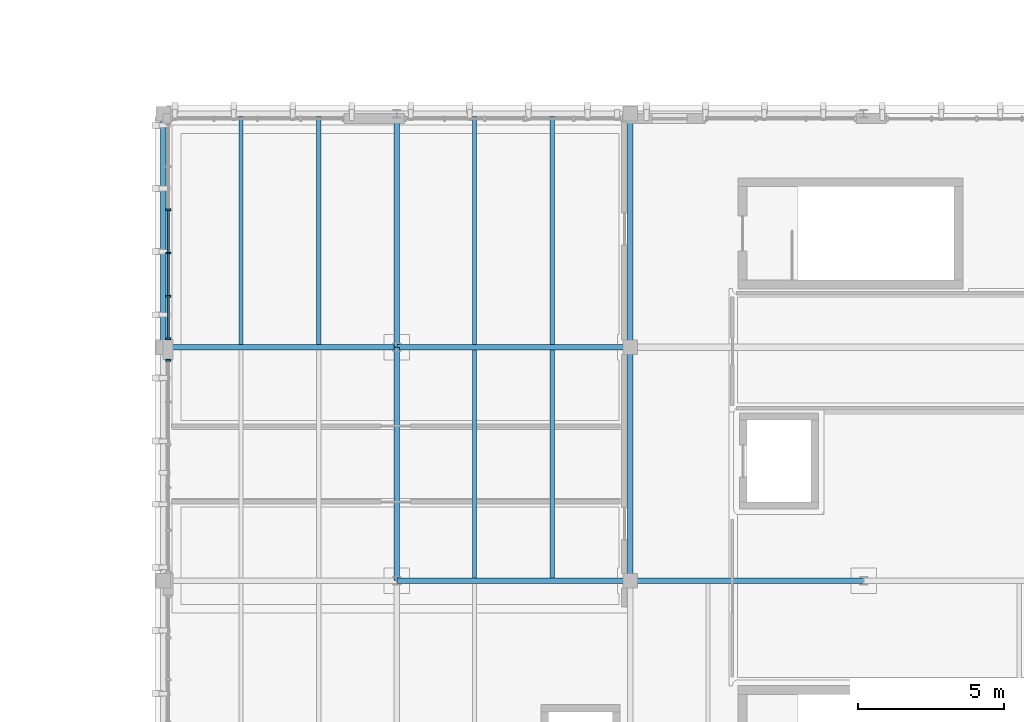
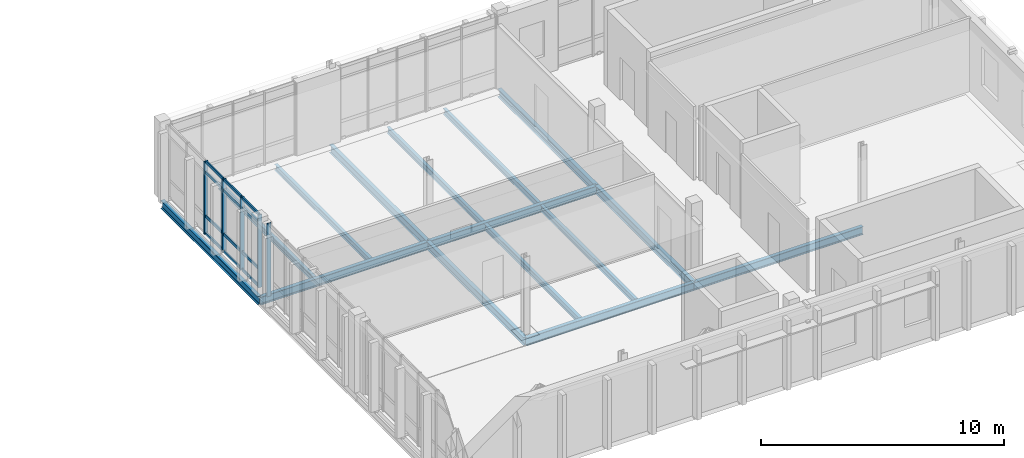
# One storey, part 4 of 28: 17 members, 15 beams, 2 elements without a shape of their own.
"""IFC4 building model written with IfcOpenShell, lengths in metres."""

from ifc_helpers import new_model, si_unit, direction, frame, origin, origin_2d, place, context, subcontext, project, spatial, rectangle, i_section, extrude, material, material_profile, profile_set, type_object, element, aggregate, save


model = new_model("IFC4")

# Units and contexts
model_context = context("Model", 3, precision=1e-05, world=origin(), true_north=direction((0.0, 1.0)))
body_context = subcontext(model_context, "Body", "Model", "MODEL_VIEW")
ifc_project = project(units=[si_unit("LENGTHUNIT", "METRE"), si_unit("AREAUNIT", "SQUARE_METRE"), si_unit("VOLUMEUNIT", "CUBIC_METRE"), si_unit("PLANEANGLEUNIT", "RADIAN"), si_unit("MASSUNIT", "GRAM", prefix="KILO")], contexts=[model_context])

# Site, building, storey
site_placement = place(None, origin())
site = spatial("IfcSite", under=ifc_project, at=site_placement, CompositionType="ELEMENT")
building_placement = place(site_placement, origin())
building = spatial("IfcBuilding", under=site, at=building_placement, Name="Cymarion Research Institute", CompositionType="ELEMENT")
storey_placement = place(building_placement, frame((0.0, 0.0, 30.60009765625)))
storey = spatial("IfcBuildingStorey", under=building, at=storey_placement, Name="L07", CompositionType="ELEMENT", Elevation=30.60009765625)

# Curtain wall, members
ifc_material_1 = material(Name="Anodised aluminium unitised curtain wall with Low-E glazing", Category="aluminium")
curtain_wall_type_1 = type_object("IfcCurtainWallType", Name="UNITISED CURTAIN WALL CW75 7420X3660", PredefinedType="NOTDEFINED", material=ifc_material_1)
curtain_wall_1_placement = place(storey_placement, origin())
curtain_wall_1 = element("IfcCurtainWall", 1, at=curtain_wall_1_placement, inside=storey, type_object=curtain_wall_type_1, Name="L07 V4 unitised curtain wall CW75 #240", PredefinedType="NOTDEFINED")
ifc_material_2 = material(Name="Anodised aluminium framing", Category="aluminium")
ifc_material_profile_1 = material_profile(ifc_material_2, rectangle(XDim=0.06005859375, YDim=0.179931640625, at=origin_2d()), Name="ALU MULLION 60x180")
ifc_profile_set_1 = profile_set([ifc_material_profile_1], Name="Anodised aluminium framing")
member_type_1 = type_object("IfcMemberType", Name="CURTAIN WALL MULLION ML01 60X180", PredefinedType="MULLION", material=ifc_profile_set_1)
member_1_placement = place(storey_placement, frame((14.77001953125, 68.210693359375, 0.0), z_axis=(0.0, 0.0, 1.0), x_axis=(0.0, -1.0, 0.0)))
member_1 = element("IfcMember", 2, at=member_1_placement, type_object=member_type_1, Name="CW75 mullion 3", PredefinedType="MULLION", context=body_context, shape_type="SweptSolid", body=[
    extrude(rectangle(XDim=0.06005859375, YDim=0.179931640625, at=origin_2d()), origin(), (0.0, 0.0, 1.0), 3.659912109375),
])
member_2_placement = place(storey_placement, frame((14.77001953125, 66.727294921875, 0.0), z_axis=(0.0, 0.0, 1.0), x_axis=(0.0, -1.0, 0.0)))
member_2 = element("IfcMember", 3, at=member_2_placement, type_object=member_type_1, Name="CW75 mullion 4", PredefinedType="MULLION", context=body_context, shape_type="SweptSolid", body=[
    extrude(rectangle(XDim=0.06005859375, YDim=0.179931640625, at=origin_2d()), origin(), (0.0, 0.0, 1.0), 3.659912109375),
])
member_3_placement = place(storey_placement, frame((14.77001953125, 65.24365234375, 0.0), z_axis=(0.0, 0.0, 1.0), x_axis=(0.0, -1.0, 0.0)))
member_3 = element("IfcMember", 4, at=member_3_placement, type_object=member_type_1, Name="CW75 mullion 5", PredefinedType="MULLION", context=body_context, shape_type="SweptSolid", body=[
    extrude(rectangle(XDim=0.06005859375, YDim=0.179931640625, at=origin_2d()), origin(), (0.0, 0.0, 1.0), 3.659912109375),
])
member_4_placement = place(storey_placement, frame((14.77001953125, 63.7900390625, 0.0), z_axis=(0.0, 0.0, 1.0), x_axis=(0.0, -1.0, 0.0)))
member_4 = element("IfcMember", 5, at=member_4_placement, type_object=member_type_1, Name="CW75 mullion 6", PredefinedType="MULLION", context=body_context, shape_type="SweptSolid", body=[
    extrude(rectangle(XDim=0.06005859375, YDim=0.179931640625, at=origin_2d()), origin(), (0.0, 0.0, 1.0), 3.659912109375),
])

# Curtain wall, member
curtain_wall_type_2 = type_object("IfcCurtainWallType", Name="UNITISED CURTAIN WALL CW76 7330X3660", PredefinedType="NOTDEFINED", material=ifc_material_1)
curtain_wall_2_placement = place(storey_placement, origin())
curtain_wall_2 = element("IfcCurtainWall", 6, at=curtain_wall_2_placement, inside=storey, type_object=curtain_wall_type_2, Name="L07 V4 unitised curtain wall CW76 #241", PredefinedType="NOTDEFINED")
member_5_placement = place(storey_placement, frame((14.77001953125, 63.055419921875, 0.0), z_axis=(0.0, 0.0, 1.0), x_axis=(0.0, -1.0, 0.0)))
member_5 = element("IfcMember", 7, at=member_5_placement, type_object=member_type_1, Name="CW76 mullion 1", PredefinedType="MULLION", context=body_context, shape_type="SweptSolid", body=[
    extrude(rectangle(XDim=0.06005859375, YDim=0.179931640625, at=origin_2d()), origin(), (0.0, 0.0, 1.0), 3.659912109375),
])
aggregate(curtain_wall_2, [member_5])

# Member
ifc_material_profile_2 = material_profile(ifc_material_2, rectangle(XDim=0.06005859375, YDim=0.14990234375, at=origin_2d()), Name="ALU TRANSOM 60x150")
ifc_profile_set_2 = profile_set([ifc_material_profile_2], Name="Anodised aluminium framing")
member_type_2 = type_object("IfcMemberType", Name="CURTAIN WALL TRANSOM TR01 60X150", PredefinedType="USERDEFINED", material=ifc_profile_set_2)
member_6_placement = place(storey_placement, frame((14.77001953125, 68.180908203125, 0.02978515625), z_axis=(0.0, -1.0, 0.0), x_axis=(1.0, 0.0, 0.0)))
member_6 = element("IfcMember", 8, at=member_6_placement, type_object=member_type_2, Name="CW75 transom 3.1", ObjectType="TRANSOM", PredefinedType="USERDEFINED", context=body_context, shape_type="SweptSolid", body=[
    extrude(rectangle(XDim=0.06005859375, YDim=0.14990234375, at=origin_2d()), origin(), (0.0, 0.0, 1.0), 1.423828125),
])

member_7_placement = place(storey_placement, frame((14.77001953125, 68.180908203125, 0.89990234375), z_axis=(0.0, -1.0, 0.0), x_axis=(1.0, 0.0, 0.0)))
member_7 = element("IfcMember", 9, at=member_7_placement, type_object=member_type_2, Name="CW75 transom 3.2", ObjectType="TRANSOM", PredefinedType="USERDEFINED", context=body_context, shape_type="SweptSolid", body=[
    extrude(rectangle(XDim=0.06005859375, YDim=0.14990234375, at=origin_2d()), origin(), (0.0, 0.0, 1.0), 1.423828125),
])

member_8_placement = place(storey_placement, frame((14.77001953125, 68.180908203125, 3.10986328125), z_axis=(0.0, -1.0, 0.0), x_axis=(1.0, 0.0, 0.0)))
member_8 = element("IfcMember", 10, at=member_8_placement, type_object=member_type_2, Name="CW75 transom 3.3", ObjectType="TRANSOM", PredefinedType="USERDEFINED", context=body_context, shape_type="SweptSolid", body=[
    extrude(rectangle(XDim=0.06005859375, YDim=0.14990234375, at=origin_2d()), origin(), (0.0, 0.0, 1.0), 1.423828125),
])

member_9_placement = place(storey_placement, frame((14.77001953125, 68.180908203125, 3.6298828125), z_axis=(0.0, -1.0, 0.0), x_axis=(1.0, 0.0, 0.0)))
member_9 = element("IfcMember", 11, at=member_9_placement, type_object=member_type_2, Name="CW75 transom 3.4", ObjectType="TRANSOM", PredefinedType="USERDEFINED", context=body_context, shape_type="SweptSolid", body=[
    extrude(rectangle(XDim=0.06005859375, YDim=0.14990234375, at=origin_2d()), origin(), (0.0, 0.0, 1.0), 1.423828125),
])

member_10_placement = place(storey_placement, frame((14.77001953125, 66.697265625, 0.02978515625), z_axis=(0.0, -1.0, 0.0), x_axis=(1.0, 0.0, 0.0)))
member_10 = element("IfcMember", 12, at=member_10_placement, type_object=member_type_2, Name="CW75 transom 4.1", ObjectType="TRANSOM", PredefinedType="USERDEFINED", context=body_context, shape_type="SweptSolid", body=[
    extrude(rectangle(XDim=0.06005859375, YDim=0.14990234375, at=origin_2d()), origin(), (0.0, 0.0, 1.0), 1.423583984375),
])

member_11_placement = place(storey_placement, frame((14.77001953125, 66.697265625, 0.89990234375), z_axis=(0.0, -1.0, 0.0), x_axis=(1.0, 0.0, 0.0)))
member_11 = element("IfcMember", 13, at=member_11_placement, type_object=member_type_2, Name="CW75 transom 4.2", ObjectType="TRANSOM", PredefinedType="USERDEFINED", context=body_context, shape_type="SweptSolid", body=[
    extrude(rectangle(XDim=0.06005859375, YDim=0.14990234375, at=origin_2d()), origin(), (0.0, 0.0, 1.0), 1.423583984375),
])

member_12_placement = place(storey_placement, frame((14.77001953125, 66.697265625, 3.10986328125), z_axis=(0.0, -1.0, 0.0), x_axis=(1.0, 0.0, 0.0)))
member_12 = element("IfcMember", 14, at=member_12_placement, type_object=member_type_2, Name="CW75 transom 4.3", ObjectType="TRANSOM", PredefinedType="USERDEFINED", context=body_context, shape_type="SweptSolid", body=[
    extrude(rectangle(XDim=0.06005859375, YDim=0.14990234375, at=origin_2d()), origin(), (0.0, 0.0, 1.0), 1.423583984375),
])

member_13_placement = place(storey_placement, frame((14.77001953125, 66.697265625, 3.6298828125), z_axis=(0.0, -1.0, 0.0), x_axis=(1.0, 0.0, 0.0)))
member_13 = element("IfcMember", 15, at=member_13_placement, type_object=member_type_2, Name="CW75 transom 4.4", ObjectType="TRANSOM", PredefinedType="USERDEFINED", context=body_context, shape_type="SweptSolid", body=[
    extrude(rectangle(XDim=0.06005859375, YDim=0.14990234375, at=origin_2d()), origin(), (0.0, 0.0, 1.0), 1.423583984375),
])

member_14_placement = place(storey_placement, frame((14.77001953125, 65.213623046875, 0.02978515625), z_axis=(0.0, -1.0, 0.0), x_axis=(1.0, 0.0, 0.0)))
member_14 = element("IfcMember", 16, at=member_14_placement, type_object=member_type_2, Name="CW75 transom 5.1", ObjectType="TRANSOM", PredefinedType="USERDEFINED", context=body_context, shape_type="SweptSolid", body=[
    extrude(rectangle(XDim=0.06005859375, YDim=0.14990234375, at=origin_2d()), origin(), (0.0, 0.0, 1.0), 1.3935546875),
])

member_15_placement = place(storey_placement, frame((14.77001953125, 65.213623046875, 0.89990234375), z_axis=(0.0, -1.0, 0.0), x_axis=(1.0, 0.0, 0.0)))
member_15 = element("IfcMember", 17, at=member_15_placement, type_object=member_type_2, Name="CW75 transom 5.2", ObjectType="TRANSOM", PredefinedType="USERDEFINED", context=body_context, shape_type="SweptSolid", body=[
    extrude(rectangle(XDim=0.06005859375, YDim=0.14990234375, at=origin_2d()), origin(), (0.0, 0.0, 1.0), 1.3935546875),
])

member_16_placement = place(storey_placement, frame((14.77001953125, 65.213623046875, 3.10986328125), z_axis=(0.0, -1.0, 0.0), x_axis=(1.0, 0.0, 0.0)))
member_16 = element("IfcMember", 18, at=member_16_placement, type_object=member_type_2, Name="CW75 transom 5.3", ObjectType="TRANSOM", PredefinedType="USERDEFINED", context=body_context, shape_type="SweptSolid", body=[
    extrude(rectangle(XDim=0.06005859375, YDim=0.14990234375, at=origin_2d()), origin(), (0.0, 0.0, 1.0), 1.3935546875),
])

member_17_placement = place(storey_placement, frame((14.77001953125, 65.213623046875, 3.6298828125), z_axis=(0.0, -1.0, 0.0), x_axis=(1.0, 0.0, 0.0)))
member_17 = element("IfcMember", 19, at=member_17_placement, type_object=member_type_2, Name="CW75 transom 5.4", ObjectType="TRANSOM", PredefinedType="USERDEFINED", context=body_context, shape_type="SweptSolid", body=[
    extrude(rectangle(XDim=0.06005859375, YDim=0.14990234375, at=origin_2d()), origin(), (0.0, 0.0, 1.0), 1.3935546875),
])

aggregate(curtain_wall_1, [member_1, member_2, member_3, member_4, member_6, member_7, member_8, member_9, member_10, member_11, member_12, member_13, member_14, member_15, member_16, member_17])

# Beams
ifc_material_3 = material(Name="Steel S355", Category="steel")
ifc_material_profile_3 = material_profile(ifc_material_3, i_section(OverallWidth=0.179931640625, OverallDepth=0.39990234375, WebThickness=0.008544921875, FlangeThickness=0.013427734375, FilletRadius=0.02099609375, at=origin_2d()), Name="IPE 400")
ifc_profile_set_3 = profile_set([ifc_material_profile_3], Name="Steel S355")
beam_type_1 = type_object("IfcBeamType", Name="PRIMARY GIRDER BM05 IPE 400", PredefinedType="BEAM", material=ifc_profile_set_3)
for number, where, z_axis, x_axis, name in (
    (20, (22.60595703125, 55.5, -0.420166015625), (1.0, 0.0, 0.0), (0.0, 1.0, 0.0), "L07 V4 girder BM05 #2228"),
    (21, (30.60595703125, 55.5, -0.420166015625), (1.0, 0.0, 0.0), (0.0, 1.0, 0.0), "L07 V4 girder BM05 #2229"),
    (22, (14.60595703125, 63.5, -0.420166015625), (1.0, 0.0, 0.0), (0.0, 1.0, 0.0), "L07 V4 girder BM05 #2231"),
    (23, (22.60595703125, 63.5, -0.420166015625), (1.0, 0.0, 0.0), (0.0, 1.0, 0.0), "L07 V4 girder BM05 #2232"),
):
    element("IfcBeam", number, at=place(storey_placement, frame(where, z_axis=z_axis, x_axis=x_axis)), inside=storey, type_object=beam_type_1, Name=name, PredefinedType="BEAM", context=body_context, shape_type="SweptSolid", body=[
        extrude(i_section(OverallWidth=0.179931640625, OverallDepth=0.39990234375, WebThickness=0.008544921875, FlangeThickness=0.013427734375, FilletRadius=0.02099609375, at=origin_2d()), origin(), (0.0, 0.0, 1.0), 7.988037109375),
    ])
for number, where, z_axis, x_axis, name in (
    (24, (14.60009765625, 63.506103515625, -0.420166015625), (0.0, 1.0, 0.0), (-1.0, 0.0, 0.0), "L07 V4 girder BM05 #2239"),
    (25, (22.60009765625, 55.506103515625, -0.420166015625), (0.0, 1.0, 0.0), (-1.0, 0.0, 0.0), "L07 V4 girder BM05 #2241"),
    (26, (22.60009765625, 63.506103515625, -0.420166015625), (0.0, 1.0, 0.0), (-1.0, 0.0, 0.0), "L07 V4 girder BM05 #2242"),
    (27, (30.60009765625, 55.506103515625, -0.420166015625), (0.0, 1.0, 0.0), (-1.0, 0.0, 0.0), "L07 V4 girder BM05 #2244"),
    (28, (30.60009765625, 63.506103515625, -0.420166015625), (0.0, 1.0, 0.0), (-1.0, 0.0, 0.0), "L07 V4 girder BM05 #2245"),
):
    element("IfcBeam", number, at=place(storey_placement, frame(where, z_axis=z_axis, x_axis=x_axis)), inside=storey, type_object=beam_type_1, Name=name, PredefinedType="BEAM", context=body_context, shape_type="SweptSolid", body=[
        extrude(i_section(OverallWidth=0.179931640625, OverallDepth=0.39990234375, WebThickness=0.008544921875, FlangeThickness=0.013427734375, FilletRadius=0.02099609375, at=origin_2d()), origin(), (0.0, 0.0, 1.0), 7.98779296875),
    ])
ifc_material_profile_4 = material_profile(ifc_material_3, i_section(OverallWidth=0.14990234375, OverallDepth=0.300048828125, WebThickness=0.007080078125, FlangeThickness=0.0107421875, FilletRadius=0.014892578125, at=origin_2d()), Name="IPE 300")
ifc_profile_set_4 = profile_set([ifc_material_profile_4], Name="Steel S355")
beam_type_2 = type_object("IfcBeamType", Name="SECONDARY JOIST JS02 IPE 300", PredefinedType="JOIST", material=ifc_profile_set_4)
for number, where, z_axis, x_axis, name in (
    (29, (25.2666015625, 55.593994140625, -0.3701171875), (0.0, 1.0, 0.0), (-1.0, 0.0, 0.0), "L07 V4 secondary joist JS02 #2255"),
    (30, (27.933349609375, 55.593994140625, -0.3701171875), (0.0, 1.0, 0.0), (-1.0, 0.0, 0.0), "L07 V4 secondary joist JS02 #2256"),
    (31, (17.2666015625, 63.593994140625, -0.3701171875), (0.0, 1.0, 0.0), (-1.0, 0.0, 0.0), "L07 V4 secondary joist JS02 #2257"),
    (32, (19.933349609375, 63.593994140625, -0.3701171875), (0.0, 1.0, 0.0), (-1.0, 0.0, 0.0), "L07 V4 secondary joist JS02 #2258"),
    (33, (25.2666015625, 63.593994140625, -0.3701171875), (0.0, 1.0, 0.0), (-1.0, 0.0, 0.0), "L07 V4 secondary joist JS02 #2259"),
    (34, (27.933349609375, 63.593994140625, -0.3701171875), (0.0, 1.0, 0.0), (-1.0, 0.0, 0.0), "L07 V4 secondary joist JS02 #2260"),
):
    element("IfcBeam", number, at=place(storey_placement, frame(where, z_axis=z_axis, x_axis=x_axis)), inside=storey, type_object=beam_type_2, Name=name, PredefinedType="JOIST", context=body_context, shape_type="SweptSolid", body=[
        extrude(i_section(OverallWidth=0.14990234375, OverallDepth=0.300048828125, WebThickness=0.007080078125, FlangeThickness=0.0107421875, FilletRadius=0.014892578125, at=origin_2d()), origin(), (0.0, 0.0, 1.0), 7.81201171875),
    ])

save(model, "model.ifc")
